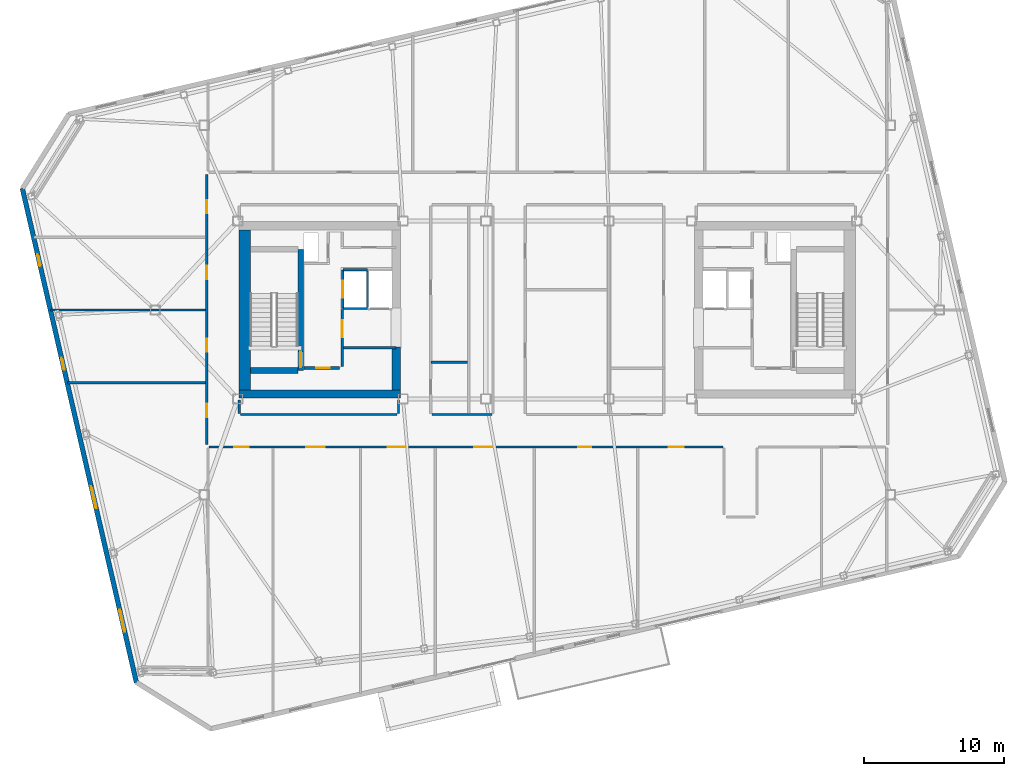
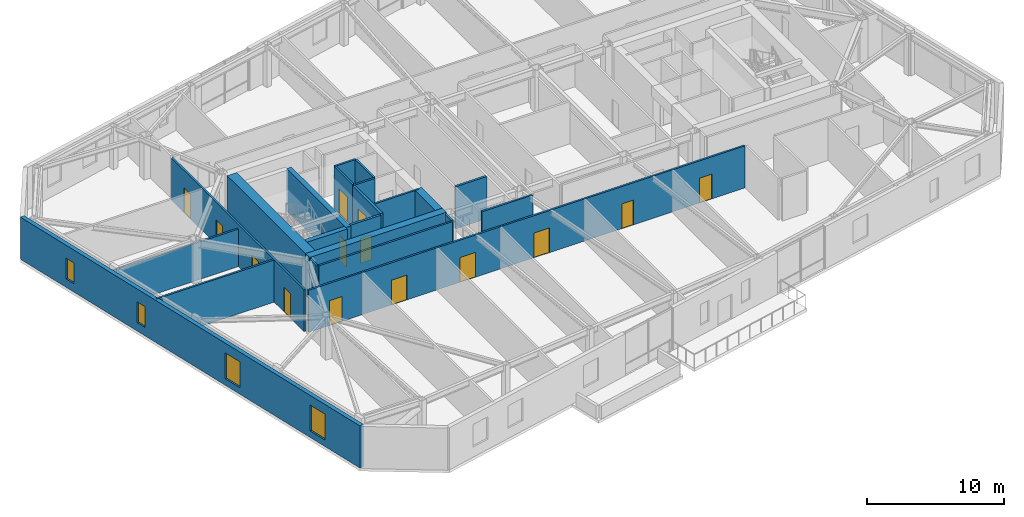
# One storey, part 15 of 23: 22 walls, 14 doors, 4 windows, 18 openings.
"""IFC4 building model written with IfcOpenShell, lengths in metres."""

from ifc_helpers import new_model, si_unit, direction, frame, frame_2d, origin, place, context, subcontext, project, spatial, rectangle, extrude, material, layer, layer_set, type_object, element, fill, save


model = new_model("IFC4")

# Units and contexts
model_context = context("Model", 3, precision=1e-05, world=origin(), true_north=direction((0.0, 1.0)))
body_context = subcontext(model_context, "Body", "Model", "MODEL_VIEW")
ifc_project = project(units=[si_unit("LENGTHUNIT", "METRE"), si_unit("AREAUNIT", "SQUARE_METRE"), si_unit("VOLUMEUNIT", "CUBIC_METRE"), si_unit("PLANEANGLEUNIT", "RADIAN"), si_unit("MASSUNIT", "GRAM", prefix="KILO")], contexts=[model_context])

# Site, building, storey
site_placement = place(None, origin())
site = spatial("IfcSite", under=ifc_project, at=site_placement, CompositionType="ELEMENT")
building_placement = place(site_placement, origin())
building = spatial("IfcBuilding", under=site, at=building_placement, Name="Tavrogorsk Clinical Tower", CompositionType="ELEMENT")
storey_placement = place(building_placement, frame((0.0, 0.0, 289.0)))
storey = spatial("IfcBuildingStorey", under=building, at=storey_placement, Name="L67", CompositionType="ELEMENT", Elevation=289.0)

# Wall, opening, door
ifc_material_1 = material(Name="Concrete B60", Category="concrete")
ifc_layer_1 = layer(ifc_material_1, 0.199951171875)
ifc_layer_set_1 = layer_set([ifc_layer_1], Name="Concrete B60")
wall_type_1 = type_object("IfcWallType", Name="CoreFireWall_200", PredefinedType="SOLIDWALL", material=ifc_layer_set_1)
wall_1_placement = place(storey_placement, frame((-17.3798828125, -4.139892578125, 0.0), z_axis=(0.0, 0.0, 1.0), x_axis=(1.0, 0.0, 0.0)))
wall_1 = element("IfcWall", 1, at=wall_1_placement, inside=storey, type_object=wall_type_1, Name="L67 Core West South Core Room Fire Wall", PredefinedType="SOLIDWALL", context=body_context, shape_type="SweptSolid", body=[
    extrude(rectangle(XDim=2.554931640625, YDim=0.199951171875, at=frame_2d((1.27734375, 0.0))), origin(), (0.0, 0.0, 1.0), 3.739990234375),
])
opening_1_placement = place(wall_1_placement, frame((0.8798828125, 0.0, 0.0)))
opening_1 = element("IfcOpeningElement", 2, at=opening_1_placement, cuts=wall_1, Name="Opening ID-02", PredefinedType="OPENING", context=body_context, shape_type="SweptSolid", body=[
    extrude(rectangle(XDim=0.949951171875, YDim=2.199951171875, at=frame_2d((0.47509765625, 1.10009765625))), frame((0.0, 0.10986328125, 0.0), z_axis=(0.0, -1.0, 0.0), x_axis=(1.0, 0.0, 0.0)), (0.0, 0.0, 1.0), 0.219970703125),
])
ifc_material_2 = material(Name="Laminated timber leaf on aluminium frame", Category="wood")
door_type_1 = type_object("IfcDoorType", Name="InteriorDoor_ID02_950", OperationType="NOTDEFINED", PredefinedType="DOOR", material=ifc_material_2)
door_1_placement = place(opening_1_placement, origin())
door_1 = element("IfcDoor", 3, at=door_1_placement, inside=storey, type_object=door_type_1, Name="L67 Core West South Core Room Door", OperationType="SINGLE_SWING_RIGHT", OverallHeight=2.199951171875, OverallWidth=0.949951171875, PredefinedType="DOOR", context=body_context, shape_type="SweptSolid", body=[
    extrude(rectangle(XDim=0.949951171875, YDim=2.199951171875, at=frame_2d((0.47509765625, 1.10009765625))), frame((0.0, 0.02490234375, 0.0), z_axis=(0.0, -1.0, 0.0), x_axis=(1.0, 0.0, 0.0)), (0.0, 0.0, 1.0), 0.050048828125),
])
fill(opening_1, door_1)

wall_2_placement = place(storey_placement, frame((-14.639892578125, -4.034912109375, 0.0), z_axis=(0.0, 0.0, 1.0), x_axis=(0.0, 1.0, 0.0)))
wall_2 = element("IfcWall", 4, at=wall_2_placement, inside=storey, type_object=wall_type_1, Name="L67 Core West Firefighting Lobby Fire Wall", PredefinedType="SOLIDWALL", context=body_context, shape_type="SweptSolid", body=[
    extrude(rectangle(XDim=4.074951171875, YDim=0.199951171875, at=frame_2d((2.03759765625, 0.0))), origin(), (0.0, 0.0, 1.0), 3.739990234375),
])
opening_2_placement = place(wall_2_placement, frame((2.090087890625, 0.0, 0.0)))
opening_2 = element("IfcOpeningElement", 5, at=opening_2_placement, cuts=wall_2, Name="Opening FD-01", PredefinedType="OPENING", context=body_context, shape_type="SweptSolid", body=[
    extrude(rectangle(XDim=1.199951171875, YDim=2.199951171875, at=frame_2d((0.60009765625, 1.10009765625))), frame((0.0, 0.10986328125, 0.0), z_axis=(0.0, -1.0, 0.0), x_axis=(1.0, 0.0, 0.0)), (0.0, 0.0, 1.0), 0.219970703125),
])
ifc_material_3 = material(Name="Galvanised steel fire-rated door assembly", Category="steel")
door_type_2 = type_object("IfcDoorType", Name="FireDoor_FD01_1200", OperationType="NOTDEFINED", PredefinedType="DOOR", material=ifc_material_3)
door_2_placement = place(opening_2_placement, origin())
door_2 = element("IfcDoor", 6, at=door_2_placement, inside=storey, type_object=door_type_2, Name="L67 Core West Firefighting Lobby Entry Door", OperationType="SINGLE_SWING_RIGHT", OverallHeight=2.199951171875, OverallWidth=1.199951171875, PredefinedType="DOOR", context=body_context, shape_type="SweptSolid", body=[
    extrude(rectangle(XDim=1.199951171875, YDim=2.199951171875, at=frame_2d((0.60009765625, 1.10009765625))), frame((0.0, 0.02490234375, 0.0), z_axis=(0.0, -1.0, 0.0), x_axis=(1.0, 0.0, 0.0)), (0.0, 0.0, 1.0), 0.050048828125),
])
fill(opening_2, door_2)

# Wall
ifc_material_4 = material(Name="Lightweight concrete blockwork B15", Category="masonry")
ifc_layer_2 = layer(ifc_material_4, 0.159912109375)
ifc_layer_set_2 = layer_set([ifc_layer_2], Name="Lightweight concrete blockwork B15")
wall_type_2 = type_object("IfcWallType", Name="PartitionWall_160", PredefinedType="PARTITIONING", material=ifc_layer_set_2)
wall_3_placement = place(storey_placement, frame((-14.534912109375, -2.699951171875, 0.0), z_axis=(0.0, 0.0, 1.0), x_axis=(1.0, 0.0, 0.0)))
element("IfcWall", 7, at=wall_3_placement, inside=storey, type_object=wall_type_2, Name="L67 Core West Freed Mid-Bank North Partition", PredefinedType="PARTITIONING", context=body_context, shape_type="SweptSolid", body=[
    extrude(rectangle(XDim=3.73486328125, YDim=0.159912109375, at=frame_2d((1.867431640625, 0.0))), origin(), (0.0, 0.0, 1.0), 3.739990234375),
])

# Wall, openings, doors
wall_4_placement = place(storey_placement, frame((-24.31005859375, -9.614990234375, 0.0), z_axis=(0.0, 0.0, 1.0), x_axis=(0.0, 1.0, 0.0)))
wall_4 = element("IfcWall", 8, at=wall_4_placement, inside=storey, type_object=wall_type_2, Name="L67 Corridor Partition 01", PredefinedType="PARTITIONING", context=body_context, shape_type="SweptSolid", body=[
    extrude(rectangle(XDim=19.280029296875, YDim=0.159912109375, at=frame_2d((9.64013671875, 0.0))), origin(), (0.0, 0.0, 1.0), 3.739990234375),
])
opening_3_placement = place(wall_4_placement, frame((1.968994140625, 0.0, 0.0)))
opening_3 = element("IfcOpeningElement", 9, at=opening_3_placement, cuts=wall_4, Name="Opening ID-02", PredefinedType="OPENING", context=body_context, shape_type="SweptSolid", body=[
    extrude(rectangle(XDim=0.949951171875, YDim=2.199951171875, at=frame_2d((0.47509765625, 1.10009765625))), frame((0.0, 0.08984375, 0.0), z_axis=(0.0, -1.0, 0.0), x_axis=(1.0, 0.0, 0.0)), (0.0, 0.0, 1.0), 0.179931640625),
])
opening_4_placement = place(wall_4_placement, frame((6.625, 0.0, 0.0)))
opening_4 = element("IfcOpeningElement", 10, at=opening_4_placement, cuts=wall_4, Name="Opening ID-02", PredefinedType="OPENING", context=body_context, shape_type="SweptSolid", body=[
    extrude(rectangle(XDim=0.949951171875, YDim=2.199951171875, at=frame_2d((0.47509765625, 1.10009765625))), frame((0.0, 0.08984375, 0.0), z_axis=(0.0, -1.0, 0.0), x_axis=(1.0, 0.0, 0.0)), (0.0, 0.0, 1.0), 0.179931640625),
])
opening_5_placement = place(wall_4_placement, frame((11.824951171875, 0.0, 0.0)))
opening_5 = element("IfcOpeningElement", 11, at=opening_5_placement, cuts=wall_4, Name="Opening ID-02", PredefinedType="OPENING", context=body_context, shape_type="SweptSolid", body=[
    extrude(rectangle(XDim=0.949951171875, YDim=2.199951171875, at=frame_2d((0.47509765625, 1.10009765625))), frame((0.0, 0.08984375, 0.0), z_axis=(0.0, -1.0, 0.0), x_axis=(1.0, 0.0, 0.0)), (0.0, 0.0, 1.0), 0.179931640625),
])
opening_6_placement = place(wall_4_placement, frame((16.505859375, 0.0, 0.0)))
opening_6 = element("IfcOpeningElement", 12, at=opening_6_placement, cuts=wall_4, Name="Opening ID-02", PredefinedType="OPENING", context=body_context, shape_type="SweptSolid", body=[
    extrude(rectangle(XDim=0.949951171875, YDim=2.199951171875, at=frame_2d((0.47509765625, 1.10009765625))), frame((0.0, 0.08984375, 0.0), z_axis=(0.0, -1.0, 0.0), x_axis=(1.0, 0.0, 0.0)), (0.0, 0.0, 1.0), 0.179931640625),
])
door_3_placement = place(opening_3_placement, origin())
door_3 = element("IfcDoor", 13, at=door_3_placement, inside=storey, type_object=door_type_1, Name="L67 W Solarium Day Room & Lounge 1 Door", OperationType="SINGLE_SWING_LEFT", OverallHeight=2.199951171875, OverallWidth=0.949951171875, PredefinedType="DOOR", context=body_context, shape_type="SweptSolid", body=[
    extrude(rectangle(XDim=0.949951171875, YDim=2.199951171875, at=frame_2d((0.47509765625, 1.10009765625))), frame((0.0, 0.02490234375, 0.0), z_axis=(0.0, -1.0, 0.0), x_axis=(1.0, 0.0, 0.0)), (0.0, 0.0, 1.0), 0.050048828125),
])
fill(opening_3, door_3)
door_4_placement = place(opening_4_placement, origin())
door_4 = element("IfcDoor", 14, at=door_4_placement, inside=storey, type_object=door_type_1, Name="L67 W Rehabilitation Therapy Suite 2 Door", OperationType="SINGLE_SWING_RIGHT", OverallHeight=2.199951171875, OverallWidth=0.949951171875, PredefinedType="DOOR", context=body_context, shape_type="SweptSolid", body=[
    extrude(rectangle(XDim=0.949951171875, YDim=2.199951171875, at=frame_2d((0.47509765625, 1.10009765625))), frame((0.0, 0.02490234375, 0.0), z_axis=(0.0, -1.0, 0.0), x_axis=(1.0, 0.0, 0.0)), (0.0, 0.0, 1.0), 0.050048828125),
])
fill(opening_4, door_4)
door_5_placement = place(opening_5_placement, origin())
door_5 = element("IfcDoor", 15, at=door_5_placement, inside=storey, type_object=door_type_1, Name="L67 W Sub-Acute Observation Suite 3 Door", OperationType="SINGLE_SWING_LEFT", OverallHeight=2.199951171875, OverallWidth=0.949951171875, PredefinedType="DOOR", context=body_context, shape_type="SweptSolid", body=[
    extrude(rectangle(XDim=0.949951171875, YDim=2.199951171875, at=frame_2d((0.47509765625, 1.10009765625))), frame((0.0, 0.02490234375, 0.0), z_axis=(0.0, -1.0, 0.0), x_axis=(1.0, 0.0, 0.0)), (0.0, 0.0, 1.0), 0.050048828125),
])
fill(opening_5, door_5)
door_6_placement = place(opening_6_placement, origin())
door_6 = element("IfcDoor", 16, at=door_6_placement, inside=storey, type_object=door_type_1, Name="L67 W Family Consultation Lounge 4 Door", OperationType="SINGLE_SWING_RIGHT", OverallHeight=2.199951171875, OverallWidth=0.949951171875, PredefinedType="DOOR", context=body_context, shape_type="SweptSolid", body=[
    extrude(rectangle(XDim=0.949951171875, YDim=2.199951171875, at=frame_2d((0.47509765625, 1.10009765625))), frame((0.0, 0.02490234375, 0.0), z_axis=(0.0, -1.0, 0.0), x_axis=(1.0, 0.0, 0.0)), (0.0, 0.0, 1.0), 0.050048828125),
])
fill(opening_6, door_6)

wall_5_placement = place(storey_placement, frame((12.534912109375, -9.780029296875, 0.0), z_axis=(0.0, 0.0, 1.0), x_axis=(-1.0, 0.0, 0.0)))
wall_5 = element("IfcWall", 17, at=wall_5_placement, inside=storey, type_object=wall_type_2, Name="L67 Corridor Partition 08", PredefinedType="PARTITIONING", context=body_context, shape_type="SweptSolid", body=[
    extrude(rectangle(XDim=36.679931640625, YDim=0.159912109375, at=frame_2d((18.33984375, 0.0))), origin(), (0.0, 0.0, 1.0), 3.739990234375),
])
opening_7_placement = place(wall_5_placement, frame((33.85595703125, 0.0, 0.0)))
opening_7 = element("IfcOpeningElement", 18, at=opening_7_placement, cuts=wall_5, Name="Opening ID-04", PredefinedType="OPENING", context=body_context, shape_type="SweptSolid", body=[
    extrude(rectangle(XDim=1.050048828125, YDim=2.199951171875, at=frame_2d((0.52490234375, 1.10009765625))), frame((0.0, 0.08984375, 0.0), z_axis=(0.0, -1.0, 0.0), x_axis=(1.0, 0.0, 0.0)), (0.0, 0.0, 1.0), 0.179931640625),
])
opening_8_placement = place(wall_5_placement, frame((28.429931640625, 0.0, 0.0)))
opening_8 = element("IfcOpeningElement", 19, at=opening_8_placement, cuts=wall_5, Name="Opening ID-01", PredefinedType="OPENING", context=body_context, shape_type="SweptSolid", body=[
    extrude(rectangle(XDim=1.300048828125, YDim=2.199951171875, at=frame_2d((0.64990234375, 1.10009765625))), frame((0.0, 0.08984375, 0.0), z_axis=(0.0, -1.0, 0.0), x_axis=(1.0, 0.0, 0.0)), (0.0, 0.0, 1.0), 0.179931640625),
])
opening_9_placement = place(wall_5_placement, frame((22.639892578125, 0.0, 0.0)))
opening_9 = element("IfcOpeningElement", 20, at=opening_9_placement, cuts=wall_5, Name="Opening ID-01", PredefinedType="OPENING", context=body_context, shape_type="SweptSolid", body=[
    extrude(rectangle(XDim=1.300048828125, YDim=2.199951171875, at=frame_2d((0.64990234375, 1.10009765625))), frame((0.0, 0.08984375, 0.0), z_axis=(0.0, -1.0, 0.0), x_axis=(1.0, 0.0, 0.0)), (0.0, 0.0, 1.0), 0.179931640625),
])
opening_10_placement = place(wall_5_placement, frame((16.43994140625, 0.0, 0.0)))
opening_10 = element("IfcOpeningElement", 21, at=opening_10_placement, cuts=wall_5, Name="Opening ID-01", PredefinedType="OPENING", context=body_context, shape_type="SweptSolid", body=[
    extrude(rectangle(XDim=1.300048828125, YDim=2.199951171875, at=frame_2d((0.64990234375, 1.10009765625))), frame((0.0, 0.08984375, 0.0), z_axis=(0.0, -1.0, 0.0), x_axis=(1.0, 0.0, 0.0)), (0.0, 0.0, 1.0), 0.179931640625),
])
opening_11_placement = place(wall_5_placement, frame((9.385009765625, 0.0, 0.0)))
opening_11 = element("IfcOpeningElement", 22, at=opening_11_placement, cuts=wall_5, Name="Opening ID-02", PredefinedType="OPENING", context=body_context, shape_type="SweptSolid", body=[
    extrude(rectangle(XDim=0.949951171875, YDim=2.199951171875, at=frame_2d((0.47509765625, 1.10009765625))), frame((0.0, 0.08984375, 0.0), z_axis=(0.0, -1.0, 0.0), x_axis=(1.0, 0.0, 0.0)), (0.0, 0.0, 1.0), 0.179931640625),
])
opening_12_placement = place(wall_5_placement, frame((2.799072265625, 0.0, 0.0)))
opening_12 = element("IfcOpeningElement", 23, at=opening_12_placement, cuts=wall_5, Name="Opening ID-04", PredefinedType="OPENING", context=body_context, shape_type="SweptSolid", body=[
    extrude(rectangle(XDim=1.050048828125, YDim=2.199951171875, at=frame_2d((0.52490234375, 1.10009765625))), frame((0.0, 0.08984375, 0.0), z_axis=(0.0, -1.0, 0.0), x_axis=(1.0, 0.0, 0.0)), (0.0, 0.0, 1.0), 0.179931640625),
])
ifc_material_5 = material(Name="Antibacterial HPL consultation door on aluminium frame", Category="aluminium")
door_type_3 = type_object("IfcDoorType", Name="ConsultDoor_ID04_1050", OperationType="NOTDEFINED", PredefinedType="DOOR", material=ifc_material_5)
door_7_placement = place(opening_7_placement, origin())
door_7 = element("IfcDoor", 24, at=door_7_placement, inside=storey, type_object=door_type_3, Name="L67 South Staff Rest & Nourishment Lounge 01 Door", OperationType="SINGLE_SWING_RIGHT", OverallHeight=2.199951171875, OverallWidth=1.050048828125, PredefinedType="DOOR", context=body_context, shape_type="SweptSolid", body=[
    extrude(rectangle(XDim=1.050048828125, YDim=2.199951171875, at=frame_2d((0.52490234375, 1.10009765625))), frame((0.0, 0.02490234375, 0.0), z_axis=(0.0, -1.0, 0.0), x_axis=(1.0, 0.0, 0.0)), (0.0, 0.0, 1.0), 0.050048828125),
])
fill(opening_7, door_7)
door_8_placement = place(opening_12_placement, origin())
door_8 = element("IfcDoor", 25, at=door_8_placement, inside=storey, type_object=door_type_3, Name="L67 South Clinical Case Seminar Room 05 Door", OperationType="SINGLE_SWING_LEFT", OverallHeight=2.199951171875, OverallWidth=1.050048828125, PredefinedType="DOOR", context=body_context, shape_type="SweptSolid", body=[
    extrude(rectangle(XDim=1.050048828125, YDim=2.199951171875, at=frame_2d((0.52490234375, 1.10009765625))), frame((0.0, 0.02490234375, 0.0), z_axis=(0.0, -1.0, 0.0), x_axis=(1.0, 0.0, 0.0)), (0.0, 0.0, 1.0), 0.050048828125),
])
fill(opening_12, door_8)
door_9_placement = place(opening_11_placement, origin())
door_9 = element("IfcDoor", 26, at=door_9_placement, inside=storey, type_object=door_type_1, Name="L67 Terrace Recuperation Day Room & Lounge Door", OperationType="SINGLE_SWING_RIGHT", OverallHeight=2.199951171875, OverallWidth=0.949951171875, PredefinedType="DOOR", context=body_context, shape_type="SweptSolid", body=[
    extrude(rectangle(XDim=0.949951171875, YDim=2.199951171875, at=frame_2d((0.47509765625, 1.10009765625))), frame((0.0, 0.02490234375, 0.0), z_axis=(0.0, -1.0, 0.0), x_axis=(1.0, 0.0, 0.0)), (0.0, 0.0, 1.0), 0.050048828125),
])
fill(opening_11, door_9)
ifc_material_6 = material(Name="Antibacterial HPL medical leaf on aluminium frame", Category="aluminium")
door_type_4 = type_object("IfcDoorType", Name="WardBedDoor_ID01_1300", OperationType="NOTDEFINED", PredefinedType="DOOR", material=ifc_material_6)
door_10_placement = place(opening_8_placement, origin())
door_10 = element("IfcDoor", 27, at=door_10_placement, inside=storey, type_object=door_type_4, Name="L67 South Bariatric Observation Ward 02A Door", OperationType="SINGLE_SWING_LEFT", OverallHeight=2.199951171875, OverallWidth=1.300048828125, PredefinedType="DOOR", context=body_context, shape_type="SweptSolid", body=[
    extrude(rectangle(XDim=1.300048828125, YDim=2.199951171875, at=frame_2d((0.64990234375, 1.10009765625))), frame((0.0, 0.02490234375, 0.0), z_axis=(0.0, -1.0, 0.0), x_axis=(1.0, 0.0, 0.0)), (0.0, 0.0, 1.0), 0.050048828125),
])
fill(opening_8, door_10)
door_11_placement = place(opening_9_placement, origin())
door_11 = element("IfcDoor", 28, at=door_11_placement, inside=storey, type_object=door_type_4, Name="L67 South Acute Medical Ward 02B Door", OperationType="SINGLE_SWING_RIGHT", OverallHeight=2.199951171875, OverallWidth=1.300048828125, PredefinedType="DOOR", context=body_context, shape_type="SweptSolid", body=[
    extrude(rectangle(XDim=1.300048828125, YDim=2.199951171875, at=frame_2d((0.64990234375, 1.10009765625))), frame((0.0, 0.02490234375, 0.0), z_axis=(0.0, -1.0, 0.0), x_axis=(1.0, 0.0, 0.0)), (0.0, 0.0, 1.0), 0.050048828125),
])
fill(opening_9, door_11)
door_12_placement = place(opening_10_placement, origin())
door_12 = element("IfcDoor", 29, at=door_12_placement, inside=storey, type_object=door_type_4, Name="L67 South Surgical Step-Down Ward 03 Door", OperationType="SINGLE_SWING_LEFT", OverallHeight=2.199951171875, OverallWidth=1.300048828125, PredefinedType="DOOR", context=body_context, shape_type="SweptSolid", body=[
    extrude(rectangle(XDim=1.300048828125, YDim=2.199951171875, at=frame_2d((0.64990234375, 1.10009765625))), frame((0.0, 0.02490234375, 0.0), z_axis=(0.0, -1.0, 0.0), x_axis=(1.0, 0.0, 0.0)), (0.0, 0.0, 1.0), 0.050048828125),
])
fill(opening_10, door_12)

# Walls
wall_6_placement = place(storey_placement, frame((-8.235107421875, -7.469970703125, 0.0), z_axis=(0.0, 0.0, 1.0), x_axis=(1.0, 0.0, 0.0)))
element("IfcWall", 30, at=wall_6_placement, inside=storey, type_object=wall_type_2, Name="L67 Corridor Partition 22", PredefinedType="PARTITIONING", context=body_context, shape_type="SweptSolid", body=[
    extrude(rectangle(XDim=4.27001953125, YDim=0.159912109375, at=frame_2d((2.135009765625, 0.0))), origin(), (0.0, 0.0, 1.0), 3.739990234375),
])
for number, where, z_axis, x_axis, name in (
    (31, (-10.6298828125, -7.385009765625, 0.0), (0.0, 0.0, 1.0), (0.0, 1.0, 0.0), "L67 Corridor Partition 23"),
    (32, (-22.0, -6.419921875, 0.0), (0.0, 0.0, 1.0), (0.0, -1.0, 0.0), "L67 Corridor Partition 27"),
):
    element("IfcWall", number, at=place(storey_placement, frame(where, z_axis=z_axis, x_axis=x_axis)), inside=storey, type_object=wall_type_2, Name=name, PredefinedType="PARTITIONING", context=body_context, shape_type="SweptSolid", body=[
        extrude(rectangle(XDim=0.965087890625, YDim=0.159912109375, at=frame_2d((0.482421875, 0.0))), origin(), (0.0, 0.0, 1.0), 3.739990234375),
    ])
wall_7_placement = place(storey_placement, frame((-21.9150390625, -7.469970703125, 0.0), z_axis=(0.0, 0.0, 1.0), x_axis=(1.0, 0.0, 0.0)))
element("IfcWall", 33, at=wall_7_placement, inside=storey, type_object=wall_type_2, Name="L67 Corridor Partition 28", PredefinedType="PARTITIONING", context=body_context, shape_type="SweptSolid", body=[
    extrude(rectangle(XDim=11.199951171875, YDim=0.159912109375, at=frame_2d((5.60009765625, 0.0))), origin(), (0.0, 0.0, 1.0), 3.739990234375),
])
wall_8_placement = place(storey_placement, frame((-34.26171875, -5.199951171875, 0.0), z_axis=(0.0, 0.0, 1.0), x_axis=(1.0, 0.0, 0.0)))
element("IfcWall", 34, at=wall_8_placement, inside=storey, type_object=wall_type_2, Name="L67 W Wing Divider 1", PredefinedType="PARTITIONING", context=body_context, shape_type="SweptSolid", body=[
    extrude(rectangle(XDim=9.86669921875, YDim=0.159912109375, at=frame_2d((4.933349609375, 0.0))), origin(), (0.0, 0.0, 1.0), 3.739990234375),
])
wall_9_placement = place(storey_placement, frame((-35.46240234375, 0.0, 0.0), z_axis=(0.0, 0.0, 1.0), x_axis=(1.0, 0.0, 0.0)))
element("IfcWall", 35, at=wall_9_placement, inside=storey, type_object=wall_type_2, Name="L67 W Wing Divider 2", PredefinedType="PARTITIONING", context=body_context, shape_type="SweptSolid", body=[
    extrude(rectangle(XDim=11.0673828125, YDim=0.159912109375, at=frame_2d((5.53369140625, 0.0))), origin(), (0.0, 0.0, 1.0), 3.3349609375),
])
ifc_material_7 = material(Name="Lightweight concrete blockwork B20", Category="masonry")
ifc_layer_3 = layer(ifc_material_7, 0.179931640625)
ifc_layer_set_3 = layer_set([ifc_layer_3], Name="Lightweight concrete blockwork B20")
wall_type_3 = type_object("IfcWallType", Name="PartitionWall_180", PredefinedType="PARTITIONING", material=ifc_layer_set_3)
wall_10_placement = place(storey_placement, frame((-8.31494140625, -3.75, 0.0), z_axis=(0.0, 0.0, 1.0), x_axis=(1.0, 0.0, 0.0)))
element("IfcWall", 36, at=wall_10_placement, inside=storey, type_object=wall_type_3, Name="L67 Central Spine Partition 4", PredefinedType="PARTITIONING", context=body_context, shape_type="SweptSolid", body=[
    extrude(rectangle(XDim=2.619873046875, YDim=0.179931640625, at=frame_2d((1.31005859375, 0.0))), origin(), (0.0, 0.0, 1.0), 3.739990234375),
])

# Wall, openings, windows
ifc_material_8 = material(Name="Precast concrete B45 with limestone cladding", Category="masonry")
ifc_layer_4 = layer(ifc_material_8, 0.340087890625)
ifc_layer_set_4 = layer_set([ifc_layer_4], Name="Precast concrete B45 with limestone cladding")
wall_type_4 = type_object("IfcWallType", Name="PrecastLimestoneWall_340", PredefinedType="STANDARD", material=ifc_layer_set_4)
wall_11_placement = place(storey_placement, frame((-37.48583984375, 8.676025390625, 0.0), z_axis=(0.0, 0.0, 1.0), x_axis=(0.224953091034, -0.974369594576, 0.0)))
wall_11 = element("IfcWall", 37, at=wall_11_placement, inside=storey, type_object=wall_type_4, Name="L67 W Pleated Limestone Wing Wall", PredefinedType="STANDARD", context=body_context, shape_type="SweptSolid", body=[
    extrude(rectangle(XDim=36.199951171875, YDim=0.340087890625, at=frame_2d((18.10009765625, 0.0))), origin(), (0.0, 0.0, 1.0), 3.739990234375),
])
opening_13_placement = place(wall_11_placement, frame((4.824951171875, 0.0, 0.75)))
opening_13 = element("IfcOpeningElement", 38, at=opening_13_placement, cuts=wall_11, Name="Opening WN-06", PredefinedType="OPENING", context=body_context, shape_type="SweptSolid", body=[
    extrude(rectangle(XDim=0.85009765625, YDim=1.85009765625, at=frame_2d((0.425048828125, 0.925048828125))), frame((0.0, 0.179931640625, 0.0), z_axis=(0.0, -1.0, 0.0), x_axis=(1.0, 0.0, 0.0)), (0.0, 0.0, 1.0), 0.360107421875),
])
opening_14_placement = place(wall_11_placement, frame((12.425048828125, 0.0, 0.75)))
opening_14 = element("IfcOpeningElement", 39, at=opening_14_placement, cuts=wall_11, Name="Opening WN-06", PredefinedType="OPENING", context=body_context, shape_type="SweptSolid", body=[
    extrude(rectangle(XDim=0.85009765625, YDim=1.85009765625, at=frame_2d((0.425048828125, 0.925048828125))), frame((0.0, 0.179931640625, 0.0), z_axis=(0.0, -1.0, 0.0), x_axis=(1.0, 0.0, 0.0)), (0.0, 0.0, 1.0), 0.360107421875),
])
opening_15_placement = place(wall_11_placement, frame((21.824951171875, 0.0, 0.580078125)))
opening_15 = element("IfcOpeningElement", 40, at=opening_15_placement, cuts=wall_11, Name="Opening WN-07", PredefinedType="OPENING", context=body_context, shape_type="SweptSolid", body=[
    extrude(rectangle(XDim=1.60009765625, YDim=2.300048828125, at=frame_2d((0.800048828125, 1.14990234375))), frame((0.0, 0.179931640625, 0.0), z_axis=(0.0, -1.0, 0.0), x_axis=(1.0, 0.0, 0.0)), (0.0, 0.0, 1.0), 0.360107421875),
])
opening_16_placement = place(wall_11_placement, frame((30.875, 0.0, 0.580078125)))
opening_16 = element("IfcOpeningElement", 41, at=opening_16_placement, cuts=wall_11, Name="Opening WN-07", PredefinedType="OPENING", context=body_context, shape_type="SweptSolid", body=[
    extrude(rectangle(XDim=1.60009765625, YDim=2.300048828125, at=frame_2d((0.800048828125, 1.14990234375))), frame((0.0, 0.179931640625, 0.0), z_axis=(0.0, -1.0, 0.0), x_axis=(1.0, 0.0, 0.0)), (0.0, 0.0, 1.0), 0.360107421875),
])
ifc_material_9 = material(Name="Thermally broken aluminium frame and triple IGU", Category="aluminium")
window_type_1 = type_object("IfcWindowType", Name="MullionSubWin_850x1850", PartitioningType="SINGLE_PANEL", PredefinedType="WINDOW", material=ifc_material_9)
window_1_placement = place(opening_13_placement, origin())
window_1 = element("IfcWindow", 42, at=window_1_placement, inside=storey, type_object=window_type_1, Name="L67 W Pleat Mullion Window 1B", OverallHeight=1.85009765625, OverallWidth=0.85009765625, PartitioningType="SINGLE_PANEL", PredefinedType="WINDOW", context=body_context, shape_type="SweptSolid", body=[
    extrude(rectangle(XDim=0.85009765625, YDim=1.85009765625, at=frame_2d((0.425048828125, 0.925048828125))), frame((0.0, 0.030029296875, 0.0), z_axis=(0.0, -1.0, 0.0), x_axis=(1.0, 0.0, 0.0)), (0.0, 0.0, 1.0), 0.06005859375),
])
fill(opening_13, window_1)
window_2_placement = place(opening_14_placement, origin())
window_2 = element("IfcWindow", 43, at=window_2_placement, inside=storey, type_object=window_type_1, Name="L67 W Pleat Mullion Window 2A", OverallHeight=1.85009765625, OverallWidth=0.85009765625, PartitioningType="SINGLE_PANEL", PredefinedType="WINDOW", context=body_context, shape_type="SweptSolid", body=[
    extrude(rectangle(XDim=0.85009765625, YDim=1.85009765625, at=frame_2d((0.425048828125, 0.925048828125))), frame((0.0, 0.030029296875, 0.0), z_axis=(0.0, -1.0, 0.0), x_axis=(1.0, 0.0, 0.0)), (0.0, 0.0, 1.0), 0.06005859375),
])
fill(opening_14, window_2)
ifc_material_10 = material(Name="Thermally broken aluminium frame and triple IGU", Category="aluminium")
window_type_2 = type_object("IfcWindowType", Name="PleatSlotWin_1600x2300", PartitioningType="SINGLE_PANEL", PredefinedType="WINDOW", material=ifc_material_10)
window_3_placement = place(opening_15_placement, origin())
window_3 = element("IfcWindow", 44, at=window_3_placement, inside=storey, type_object=window_type_2, Name="L67 W Pleat Slot Window 3", OverallHeight=2.300048828125, OverallWidth=1.60009765625, PartitioningType="SINGLE_PANEL", PredefinedType="WINDOW", context=body_context, shape_type="SweptSolid", body=[
    extrude(rectangle(XDim=1.60009765625, YDim=2.300048828125, at=frame_2d((0.800048828125, 1.14990234375))), frame((0.0, 0.030029296875, 0.0), z_axis=(0.0, -1.0, 0.0), x_axis=(1.0, 0.0, 0.0)), (0.0, 0.0, 1.0), 0.06005859375),
])
fill(opening_15, window_3)
window_4_placement = place(opening_16_placement, origin())
window_4 = element("IfcWindow", 45, at=window_4_placement, inside=storey, type_object=window_type_2, Name="L67 W Pleat Slot Window 4", OverallHeight=2.300048828125, OverallWidth=1.60009765625, PartitioningType="SINGLE_PANEL", PredefinedType="WINDOW", context=body_context, shape_type="SweptSolid", body=[
    extrude(rectangle(XDim=1.60009765625, YDim=2.300048828125, at=frame_2d((0.800048828125, 1.14990234375))), frame((0.0, 0.030029296875, 0.0), z_axis=(0.0, -1.0, 0.0), x_axis=(1.0, 0.0, 0.0)), (0.0, 0.0, 1.0), 0.06005859375),
])
fill(opening_16, window_4)

# Wall, opening, door
ifc_material_11 = material(Name="Lightweight concrete blockwork B25", Category="masonry")
ifc_layer_5 = layer(ifc_material_11, 0.159912109375)
ifc_layer_set_5 = layer_set([ifc_layer_5], Name="Lightweight concrete blockwork B25")
wall_type_5 = type_object("IfcWallType", Name="ShaftWall_160", PredefinedType="PARTITIONING", material=ifc_layer_set_5)
wall_12_placement = place(storey_placement, frame((-14.60009765625, 0.1201171875, 0.0), z_axis=(0.0, 0.0, 1.0), x_axis=(0.0, 1.0, 0.0)))
wall_12 = element("IfcWall", 46, at=wall_12_placement, inside=storey, type_object=wall_type_5, Name="L67 FFL-W Firefighting Lift Front Wall", PredefinedType="PARTITIONING", context=body_context, shape_type="SweptSolid", body=[
    extrude(rectangle(XDim=2.739990234375, YDim=0.159912109375, at=frame_2d((1.3701171875, 0.0))), origin(), (0.0, 0.0, 1.0), 3.739990234375),
])
opening_17_placement = place(wall_12_placement, frame((0.77001953125, 0.0, 0.0)))
opening_17 = element("IfcOpeningElement", 47, at=opening_17_placement, cuts=wall_12, Name="Opening LD", PredefinedType="OPENING", context=body_context, shape_type="SweptSolid", body=[
    extrude(rectangle(XDim=1.199951171875, YDim=2.199951171875, at=frame_2d((0.60009765625, 1.10009765625))), frame((0.0, 0.08984375, 0.0), z_axis=(0.0, -1.0, 0.0), x_axis=(1.0, 0.0, 0.0)), (0.0, 0.0, 1.0), 0.179931640625),
])
ifc_material_12 = material(Name="Brushed stainless steel AISI 304 sliding doors", Category="steel")
door_type_5 = type_object("IfcDoorType", Name="LiftLandingDoor_LD_1200", OperationType="SLIDING_TO_LEFT", PredefinedType="DOOR", material=ifc_material_12)
door_13_placement = place(opening_17_placement, origin())
door_13 = element("IfcDoor", 48, at=door_13_placement, inside=storey, type_object=door_type_5, Name="L67 FFL-W Sliding Lift Landing Door", OperationType="SLIDING_TO_LEFT", OverallHeight=2.199951171875, OverallWidth=1.199951171875, PredefinedType="DOOR", context=body_context, shape_type="SweptSolid", body=[
    extrude(rectangle(XDim=1.199951171875, YDim=2.199951171875, at=frame_2d((0.60009765625, 1.10009765625))), frame((0.0, 0.02490234375, 0.0), z_axis=(0.0, -1.0, 0.0), x_axis=(1.0, 0.0, 0.0)), (0.0, 0.0, 1.0), 0.050048828125),
])
fill(opening_17, door_13)

# Walls
for number, where, z_axis, x_axis, name in (
    (49, (-14.60009765625, 0.10009765625, 0.0), (0.0, 0.0, 1.0), (1.0, 0.0, 0.0), "L67 FFL-W Shaft South Wall"),
    (50, (-14.60009765625, 2.8798828125, 0.0), (0.0, 0.0, 1.0), (1.0, 0.0, 0.0), "L67 FFL-W Shaft North Wall"),
):
    element("IfcWall", number, at=place(storey_placement, frame(where, z_axis=z_axis, x_axis=x_axis)), inside=storey, type_object=wall_type_5, Name=name, PredefinedType="PARTITIONING", context=body_context, shape_type="SweptSolid", body=[
        extrude(rectangle(XDim=1.760009765625, YDim=0.159912109375, at=frame_2d((0.8798828125, 0.0))), origin(), (0.0, 0.0, 1.0), 3.739990234375),
    ])
wall_13_placement = place(storey_placement, frame((-12.840087890625, 0.179931640625, 0.0), z_axis=(0.0, 0.0, 1.0), x_axis=(0.0, 1.0, 0.0)))
element("IfcWall", 51, at=wall_13_placement, inside=storey, type_object=wall_type_5, Name="L67 FFL-W Shaft Back Wall", PredefinedType="PARTITIONING", context=body_context, shape_type="SweptSolid", body=[
    extrude(rectangle(XDim=2.6201171875, YDim=0.159912109375, at=frame_2d((1.31005859375, 0.0))), origin(), (0.0, 0.0, 1.0), 3.739990234375),
])

# Wall, opening, door
ifc_material_13 = material(Name="Concrete B80", Category="concrete")
ifc_layer_6 = layer(ifc_material_13, 0.39990234375)
ifc_layer_set_6 = layer_set([ifc_layer_6], Name="Concrete B80")
wall_type_6 = type_object("IfcWallType", Name="ShearWall_400", PredefinedType="SHEAR", material=ifc_layer_set_6)
wall_14_placement = place(storey_placement, frame((-17.60009765625, -4.324951171875, 0.0), z_axis=(0.0, 0.0, 1.0), x_axis=(0.0, 1.0, 0.0)))
wall_14 = element("IfcWall", 52, at=wall_14_placement, inside=storey, type_object=wall_type_6, Name="L67 Core West Stair Shaft Inner Shear Wall", PredefinedType="SHEAR", context=body_context, shape_type="SweptSolid", body=[
    extrude(rectangle(XDim=8.64990234375, YDim=0.39990234375, at=frame_2d((4.324951171875, 0.0))), origin(), (0.0, 0.0, 1.0), 3.739990234375),
])
opening_18_placement = place(wall_14_placement, frame((0.25, 0.0, 0.0)))
opening_18 = element("IfcOpeningElement", 53, at=opening_18_placement, cuts=wall_14, Name="Opening SD-01", PredefinedType="OPENING", context=body_context, shape_type="SweptSolid", body=[
    extrude(rectangle(XDim=1.10009765625, YDim=2.199951171875, at=frame_2d((0.550048828125, 1.10009765625))), frame((0.0, 0.2099609375, 0.0), z_axis=(0.0, -1.0, 0.0), x_axis=(1.0, 0.0, 0.0)), (0.0, 0.0, 1.0), 0.419921875),
])
ifc_material_14 = material(Name="Galvanised steel smoke-tight fire door assembly", Category="steel")
door_type_6 = type_object("IfcDoorType", Name="StairFireDoor_SD01_1100", OperationType="NOTDEFINED", PredefinedType="DOOR", material=ifc_material_14)
door_14_placement = place(opening_18_placement, origin())
door_14 = element("IfcDoor", 54, at=door_14_placement, inside=storey, type_object=door_type_6, Name="L67 ST-W Exit Stair Door", OperationType="SINGLE_SWING_RIGHT", OverallHeight=2.199951171875, OverallWidth=1.10009765625, PredefinedType="DOOR", context=body_context, shape_type="SweptSolid", body=[
    extrude(rectangle(XDim=1.10009765625, YDim=2.199951171875, at=frame_2d((0.550048828125, 1.10009765625))), frame((0.0, 0.02490234375, 0.0), z_axis=(0.0, -1.0, 0.0), x_axis=(1.0, 0.0, 0.0)), (0.0, 0.0, 1.0), 0.050048828125),
])
fill(opening_18, door_14)

# Walls
wall_15_placement = place(storey_placement, frame((-21.199951171875, -4.324951171875, 0.0), z_axis=(0.0, 0.0, 1.0), x_axis=(1.0, 0.0, 0.0)))
element("IfcWall", 55, at=wall_15_placement, inside=storey, type_object=wall_type_6, Name="L67 Core West Stair Shaft South Shear Wall", PredefinedType="SHEAR", context=body_context, shape_type="SweptSolid", body=[
    extrude(rectangle(XDim=3.39990234375, YDim=0.39990234375, at=frame_2d((1.699951171875, 0.0))), origin(), (0.0, 0.0, 1.0), 3.739990234375),
])
ifc_material_15 = material(Name="Concrete B80", Category="concrete")
ifc_layer_7 = layer(ifc_material_15, 0.60009765625)
ifc_layer_set_7 = layer_set([ifc_layer_7], Name="Concrete B80")
wall_type_7 = type_object("IfcWallType", Name="ShearWall_600", PredefinedType="SHEAR", material=ifc_layer_set_7)
wall_16_placement = place(storey_placement, frame((-22.0, -6.0, 0.0), z_axis=(0.0, 0.0, 1.0), x_axis=(1.0, 0.0, 0.0)))
element("IfcWall", 56, at=wall_16_placement, inside=storey, type_object=wall_type_7, Name="L67 Core West South Shear Wall", PredefinedType="SHEAR", context=body_context, shape_type="SweptSolid", body=[
    extrude(rectangle(XDim=11.5, YDim=0.60009765625, at=frame_2d((5.75, 0.0))), origin(), (0.0, 0.0, 1.0), 3.739990234375),
])
wall_17_placement = place(storey_placement, frame((-10.800048828125, -5.699951171875, 0.0), z_axis=(0.0, 0.0, 1.0), x_axis=(0.0, 1.0, 0.0)))
element("IfcWall", 57, at=wall_17_placement, inside=storey, type_object=wall_type_7, Name="L67 Core West Inner South Pier", PredefinedType="SHEAR", context=body_context, shape_type="SweptSolid", body=[
    extrude(rectangle(XDim=3.050048828125, YDim=0.60009765625, at=frame_2d((1.52490234375, 0.0))), origin(), (0.0, 0.0, 1.0), 3.739990234375),
])
ifc_material_16 = material(Name="Concrete B80", Category="concrete")
ifc_layer_8 = layer(ifc_material_16, 0.800048828125)
ifc_layer_set_8 = layer_set([ifc_layer_8], Name="Concrete B80")
wall_type_8 = type_object("IfcWallType", Name="ShearWall_800", PredefinedType="SHEAR", material=ifc_layer_set_8)
wall_18_placement = place(storey_placement, frame((-21.60009765625, -5.699951171875, 0.0), z_axis=(0.0, 0.0, 1.0), x_axis=(0.0, 1.0, 0.0)))
element("IfcWall", 58, at=wall_18_placement, inside=storey, type_object=wall_type_8, Name="L67 Core West End Shear Wall", PredefinedType="SHEAR", context=body_context, shape_type="SweptSolid", body=[
    extrude(rectangle(XDim=11.39990234375, YDim=0.800048828125, at=frame_2d((5.699951171875, 0.0))), origin(), (0.0, 0.0, 1.0), 3.739990234375),
])

save(model, "model.ifc")
